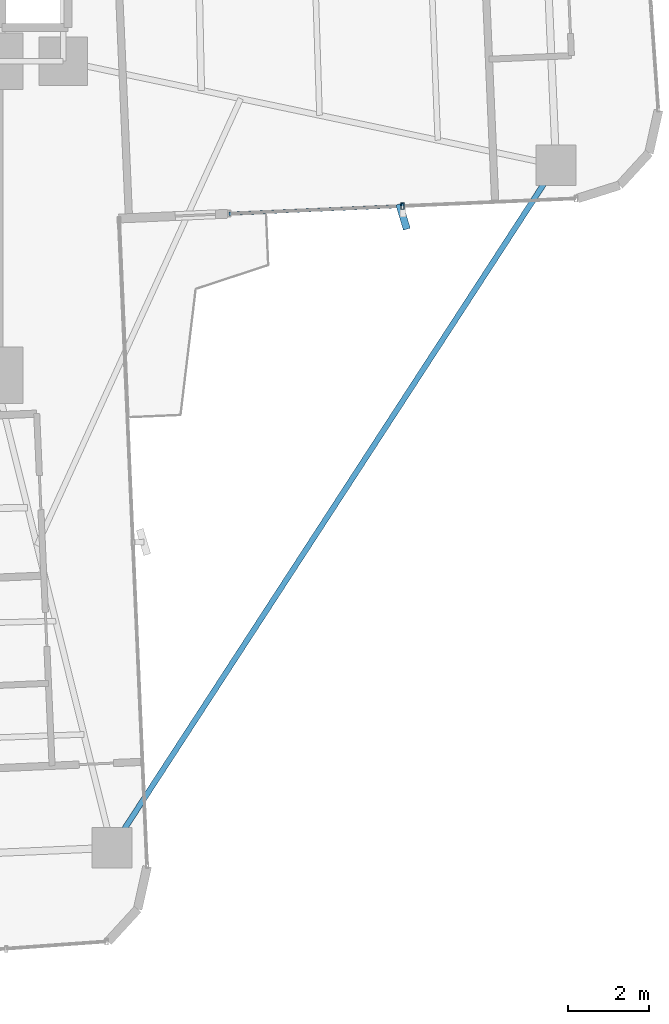
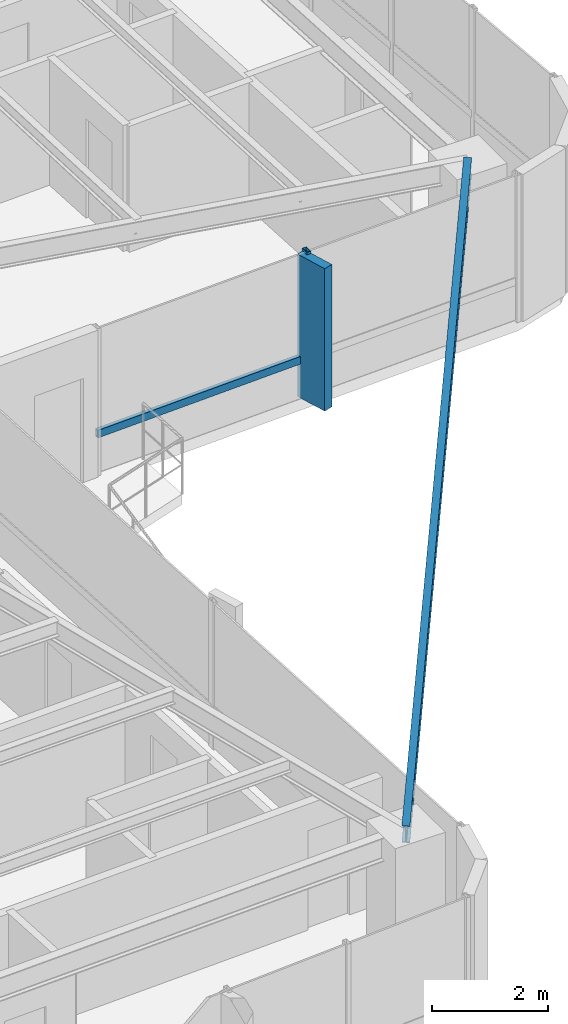
# One storey, part 14 of 26: 3 members, 1 beam, 1 element without a shape of its own.
"""IFC4 building model written with IfcOpenShell, lengths in metres."""

from ifc_helpers import new_model, si_unit, direction, frame, origin, origin_2d, place, context, subcontext, project, spatial, rectangle, hollow_rectangle, i_section, extrude, source, transform, mapped, material, material_profile, profile_set, type_object, element, aggregate, save


model = new_model("IFC4")

# Units and contexts
model_context = context("Model", 3, precision=1e-05, world=origin(), true_north=direction((0.0, 1.0)))
body_context = subcontext(model_context, "Body", "Model", "MODEL_VIEW")
ifc_project = project(units=[si_unit("LENGTHUNIT", "METRE"), si_unit("AREAUNIT", "SQUARE_METRE"), si_unit("VOLUMEUNIT", "CUBIC_METRE"), si_unit("PLANEANGLEUNIT", "RADIAN"), si_unit("MASSUNIT", "GRAM", prefix="KILO")], contexts=[model_context])

# Site, building, storey
site_placement = place(None, origin())
site = spatial("IfcSite", under=ifc_project, at=site_placement, CompositionType="ELEMENT")
building_placement = place(site_placement, origin())
building = spatial("IfcBuilding", under=site, at=building_placement, Name="Sahyath Konkavel Grand Hotel", CompositionType="ELEMENT")
storey_placement = place(building_placement, frame((0.0, 0.0, 114.800048828125)))
storey = spatial("IfcBuildingStorey", under=building, at=storey_placement, Name="L31", CompositionType="ELEMENT", Elevation=114.800048828125)

# Beam
ifc_material_1 = material(Name="Steel E350", Category="steel")
ifc_material_profile_1 = material_profile(ifc_material_1, i_section(OverallWidth=0.139892578125, OverallDepth=0.35009765625, WebThickness=0.008056640625, FlangeThickness=0.01416015625, FilletRadius=0.013916015625, at=origin_2d()), Name="ISMB 350")
ifc_profile_set_1 = profile_set([ifc_material_profile_1], Name="Steel E350")
beam_type = type_object("IfcBeamType", Name="BM-ISMB350", PredefinedType="BEAM", material=ifc_profile_set_1)
shared_shape_1 = source(origin(), body_context, "Body", "SweptSolid", [
    extrude(i_section(OverallWidth=0.139892578125, OverallDepth=0.35009765625, WebThickness=0.008056640625, FlangeThickness=0.01416015625, FilletRadius=0.013916015625, at=origin_2d()), origin(), (0.0, 0.0, 1.0), 20.21533203125),
])
beam_placement = place(storey_placement, frame((17.734130859375, -4.981201171875, 2.93505859375), z_axis=(-0.545191244931, -0.838311700056, 0.0), x_axis=(0.838311700056, -0.545191244931, 0.0)))
element("IfcBeam", 1, at=beam_placement, inside=storey, type_object=beam_type, Name="L31 Re-Entrant Tie Beam SE", PredefinedType="BEAM", context=body_context, shape_type="MappedRepresentation", body=[
    mapped(shared_shape_1, transform((0.0, 0.0, 0.0), scale=1.0)),
])

# Curtain wall, members
ifc_material_2 = material(Name="Anodised Bronze Aluminium & Low-E Glazing", Category="aluminium")
curtain_wall_type = type_object("IfcCurtainWallType", Name="CW-ZONE2", PredefinedType="NOTDEFINED", material=ifc_material_2)
curtain_wall_placement = place(storey_placement, origin())
curtain_wall = element("IfcCurtainWall", 2, at=curtain_wall_placement, inside=storey, type_object=curtain_wall_type, Name="L31 Unitised Curtain Wall F0", PredefinedType="NOTDEFINED")
ifc_material_3 = material(Name="Anodised Bronze Aluminium", Category="aluminium")
ifc_material_profile_2 = material_profile(ifc_material_3, hollow_rectangle(XDim=0.080078125, YDim=0.159912109375, WallThickness=0.006103515625, at=origin_2d()), Name="RHS 160x80x6")
ifc_profile_set_2 = profile_set([ifc_material_profile_2], Name="Anodised Bronze Aluminium")
member_type_1 = type_object("IfcMemberType", Name="CW-MUL-160", PredefinedType="MULLION", material=ifc_profile_set_2)
shared_shape_2 = source(origin(), body_context, "Body", "SweptSolid", [
    extrude(hollow_rectangle(XDim=0.080078125, YDim=0.159912109375, WallThickness=0.006103515625, at=origin_2d()), origin(), (0.0, 0.0, 1.0), 3.10986328125),
])
member_1_placement = place(storey_placement, frame((13.9248046875, -5.998291015625, 0.0), z_axis=(0.0, 0.0, 1.0), x_axis=(1.0, 0.0, 0.0)))
member_1 = element("IfcMember", 3, at=member_1_placement, type_object=member_type_1, Name="L31 Curtain Wall Mullion F0-1", PredefinedType="MULLION", context=body_context, shape_type="MappedRepresentation", body=[
    mapped(shared_shape_2, transform((0.0, 0.0, 0.0), scale=1.0)),
])
ifc_material_4 = material(Name="Warm Buff Sandstone Cladding on Concrete C50/60", Category="masonry")
ifc_material_profile_3 = material_profile(ifc_material_4, rectangle(XDim=0.179931640625, YDim=0.64990234375, at=origin_2d()), Name="FIN 180x650")
ifc_profile_set_3 = profile_set([ifc_material_profile_3], Name="Warm Buff Sandstone Cladding on Concrete C50/60")
member_type_2 = type_object("IfcMemberType", Name="FIN-SANDSTONE-650", PredefinedType="MULLION", material=ifc_profile_set_3)
shared_shape_3 = source(origin(), body_context, "Body", "SweptSolid", [
    extrude(rectangle(XDim=0.179931640625, YDim=0.64990234375, at=origin_2d()), origin(), (0.0, 0.0, 1.0), 3.010009765625),
])
member_2_placement = place(storey_placement, frame((13.936279296875, -6.258056640625, 0.050048828125), z_axis=(0.0, 0.0, 1.0), x_axis=(0.957621645958, 0.288029136015, 0.0)))
member_2 = element("IfcMember", 4, at=member_2_placement, type_object=member_type_2, Name="L31 Sandstone Vertical Solar Fin FIN F0-1", PredefinedType="MULLION", context=body_context, shape_type="MappedRepresentation", body=[
    mapped(shared_shape_3, transform((0.0, 0.0, 0.0), scale=1.0)),
])
ifc_material_profile_4 = material_profile(ifc_material_3, hollow_rectangle(XDim=0.080078125, YDim=0.159912109375, WallThickness=0.006103515625, at=origin_2d()), Name="RHS 160x80x6")
ifc_profile_set_4 = profile_set([ifc_material_profile_4], Name="Anodised Bronze Aluminium")
member_type_3 = type_object("IfcMemberType", Name="CW-TRN-160", PredefinedType="USERDEFINED", material=ifc_profile_set_4)
shared_shape_4 = source(origin(), body_context, "Body", "SweptSolid", [
    extrude(hollow_rectangle(XDim=0.080078125, YDim=0.159912109375, WallThickness=0.006103515625, at=origin_2d()), origin(), (0.0, 0.0, 1.0), 4.31005859375),
])
member_3_placement = place(storey_placement, frame((9.618896484375, -6.186279296875, 0.849853515625), z_axis=(0.999048340188, 0.043616670746, 0.0), x_axis=(-0.043616670746, 0.999048340188, 0.0)))
member_3 = element("IfcMember", 5, at=member_3_placement, type_object=member_type_3, Name="L31 Curtain Wall Transom F0-0-spandrel", ObjectType="TRANSOM", PredefinedType="USERDEFINED", context=body_context, shape_type="MappedRepresentation", body=[
    mapped(shared_shape_4, transform((0.0, 0.0, 0.0), scale=1.0)),
])
aggregate(curtain_wall, [member_1, member_2, member_3])

save(model, "model.ifc")
